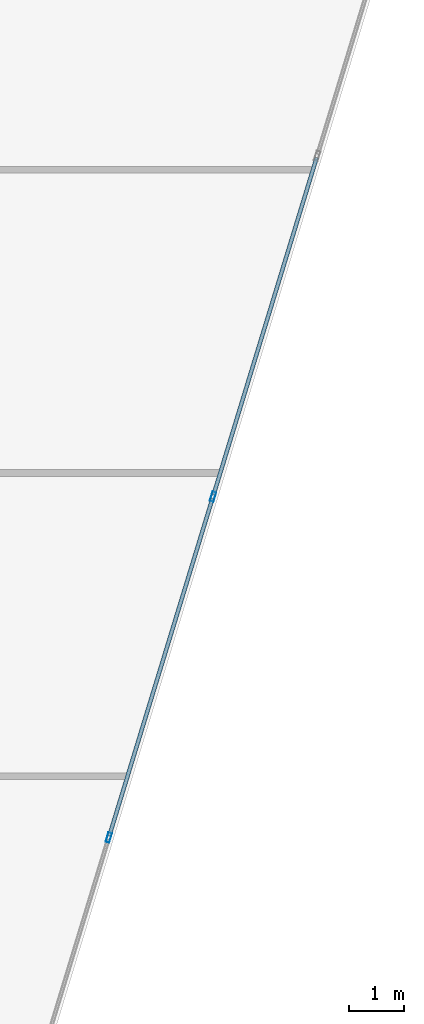
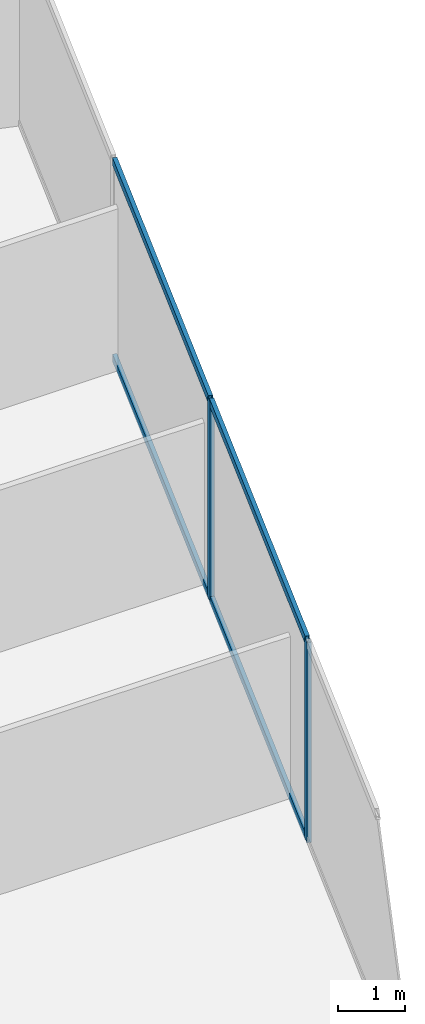
# One storey, part 12 of 26: 6 members, 1 element without a shape of its own.
"""IFC4 building model written with IfcOpenShell, lengths in metres."""

from ifc_helpers import new_model, si_unit, direction, frame, origin, origin_2d, place, context, subcontext, project, spatial, hollow_rectangle, extrude, source, transform, mapped, material, material_profile, profile_set, type_object, type_shapes, element, aggregate, save


model = new_model("IFC4")

# Units and contexts
model_context = context("Model", 3, precision=1e-05, world=origin(), true_north=direction((0.0, 1.0)))
body_context = subcontext(model_context, "Body", "Model", "MODEL_VIEW")
ifc_project = project(units=[si_unit("LENGTHUNIT", "METRE"), si_unit("AREAUNIT", "SQUARE_METRE"), si_unit("VOLUMEUNIT", "CUBIC_METRE"), si_unit("PLANEANGLEUNIT", "RADIAN"), si_unit("MASSUNIT", "GRAM", prefix="KILO")], contexts=[model_context])

# Site, building, storey
site_placement = place(None, origin())
site = spatial("IfcSite", under=ifc_project, at=site_placement, CompositionType="ELEMENT")
building_placement = place(site_placement, origin())
building = spatial("IfcBuilding", under=site, at=building_placement, Name="Krantzveldt Concourse Tower", CompositionType="ELEMENT")
storey_placement = place(building_placement, frame((0.0, 0.0, 113.75)))
storey = spatial("IfcBuildingStorey", under=building, at=storey_placement, Name="L27", CompositionType="ELEMENT", Elevation=113.75)

# Curtain wall, members
ifc_material = material(Name="Anodised aluminium 6063-T6", Category="aluminium")
curtain_wall_type = type_object("IfcCurtainWallType", Name="CW2", PredefinedType="USERDEFINED", material=ifc_material)
curtain_wall_placement = place(storey_placement, origin())
curtain_wall = element("IfcCurtainWall", 1, at=curtain_wall_placement, inside=storey, type_object=curtain_wall_type, Name="CW-L27-F07", ObjectType="UNITISED CURTAIN WALL", PredefinedType="USERDEFINED")
ifc_material_profile_1 = material_profile(ifc_material, hollow_rectangle(XDim=0.070068359375, YDim=0.179931640625, WallThickness=0.0048828125, at=origin_2d()), Name="Anodised aluminium 6063-T6", Category="aluminium")
ifc_profile_set_1 = profile_set([ifc_material_profile_1], Name="Anodised aluminium 6063-T6 - ALU-MULL 180x70x5")
member_type_1 = type_object("IfcMemberType", Name="CW-MUL-180", PredefinedType="MULLION", material=ifc_profile_set_1)
shared_shape_1 = source(origin(), body_context, "Body", "SweptSolid", [
    extrude(hollow_rectangle(XDim=0.070068359375, YDim=0.179931640625, WallThickness=0.0048828125, at=origin_2d()), origin(), (0.0, 0.0, 1.0), 3.669921875),
])
type_shapes(member_type_1, [shared_shape_1])
member_1_placement = place(storey_placement, frame((58.29150390625, 19.884765625, 0.0), z_axis=(0.0, 0.0, 1.0), x_axis=(-0.956304761423, 0.292371686864, 0.0)))
member_1 = element("IfcMember", 2, at=member_1_placement, type_object=member_type_1, Name="CW-Z12 mullion 4", PredefinedType="MULLION", context=body_context, shape_type="MappedRepresentation", body=[
    mapped(shared_shape_1, transform((0.0, 0.0, 0.0), x_axis=(1.0, 0.0, 0.0), y_axis=(0.0, 1.0, 0.0), z_axis=(0.0, 0.0, 1.0), scale=1.0)),
])
member_2_placement = place(storey_placement, frame((60.18212890625, 26.06884765625, 0.0), z_axis=(0.0, 0.0, 1.0), x_axis=(-0.956304761423, 0.292371686864, 0.0)))
member_2 = element("IfcMember", 3, at=member_2_placement, type_object=member_type_1, Name="CW-Z12 mullion 5", PredefinedType="MULLION", context=body_context, shape_type="MappedRepresentation", body=[
    mapped(shared_shape_1, transform((0.0, 0.0, 0.0), x_axis=(1.0, 0.0, 0.0), y_axis=(0.0, 1.0, 0.0), z_axis=(0.0, 0.0, 1.0), scale=1.0)),
])
ifc_material_profile_2 = material_profile(ifc_material, hollow_rectangle(XDim=0.070068359375, YDim=0.139892578125, WallThickness=0.0048828125, at=origin_2d()), Name="Anodised aluminium 6063-T6", Category="aluminium")
ifc_profile_set_2 = profile_set([ifc_material_profile_2], Name="Anodised aluminium 6063-T6 - ALU-TRAN 140x70x5")
member_type_2 = type_object("IfcMemberType", Name="CW-TRN-150", PredefinedType="USERDEFINED", material=ifc_profile_set_2)
shared_shape_2 = source(origin(), body_context, "Body", "SweptSolid", [
    extrude(hollow_rectangle(XDim=0.070068359375, YDim=0.139892578125, WallThickness=0.0048828125, at=origin_2d()), origin(), (0.0, 0.0, 1.0), 6.396728515625),
])
type_shapes(member_type_2, [shared_shape_2])
member_3_placement = place(storey_placement, frame((58.3017578125, 19.918212890625, 0.034912109375), z_axis=(0.292358163404, 0.956308895855, 0.0), x_axis=(-0.956308895855, 0.292358163404, 0.0)))
member_3 = element("IfcMember", 4, at=member_3_placement, type_object=member_type_2, Name="CW-Z12 transom 4.1", ObjectType="TRANSOM", PredefinedType="USERDEFINED", context=body_context, shape_type="MappedRepresentation", body=[
    mapped(shared_shape_2, transform((0.0, 0.0, 0.0), x_axis=(1.0, 0.0, 0.0), y_axis=(0.0, 1.0, 0.0), z_axis=(0.0, 0.0, 1.0), scale=1.0)),
])
member_4_placement = place(storey_placement, frame((58.3017578125, 19.918212890625, 3.635009765625), z_axis=(0.292358163404, 0.956308895855, 0.0), x_axis=(-0.956308895855, 0.292358163404, 0.0)))
member_4 = element("IfcMember", 5, at=member_4_placement, type_object=member_type_2, Name="CW-Z12 transom 4.2", ObjectType="TRANSOM", PredefinedType="USERDEFINED", context=body_context, shape_type="MappedRepresentation", body=[
    mapped(shared_shape_2, transform((0.0, 0.0, 0.0), x_axis=(1.0, 0.0, 0.0), y_axis=(0.0, 1.0, 0.0), z_axis=(0.0, 0.0, 1.0), scale=1.0)),
])
member_5_placement = place(storey_placement, frame((60.1923828125, 26.102294921875, 0.034912109375), z_axis=(0.292358163404, 0.956308895855, 0.0), x_axis=(-0.956308895855, 0.292358163404, 0.0)))
member_5 = element("IfcMember", 6, at=member_5_placement, type_object=member_type_2, Name="CW-Z12 transom 5.1", ObjectType="TRANSOM", PredefinedType="USERDEFINED", context=body_context, shape_type="MappedRepresentation", body=[
    mapped(shared_shape_2, transform((0.0, 0.0, 0.0), x_axis=(1.0, 0.0, 0.0), y_axis=(0.0, 1.0, 0.0), z_axis=(0.0, 0.0, 1.0), scale=1.0)),
])
member_6_placement = place(storey_placement, frame((60.1923828125, 26.102294921875, 3.635009765625), z_axis=(0.292358163404, 0.956308895855, 0.0), x_axis=(-0.956308895855, 0.292358163404, 0.0)))
member_6 = element("IfcMember", 7, at=member_6_placement, type_object=member_type_2, Name="CW-Z12 transom 5.2", ObjectType="TRANSOM", PredefinedType="USERDEFINED", context=body_context, shape_type="MappedRepresentation", body=[
    mapped(shared_shape_2, transform((0.0, 0.0, 0.0), x_axis=(1.0, 0.0, 0.0), y_axis=(0.0, 1.0, 0.0), z_axis=(0.0, 0.0, 1.0), scale=1.0)),
])
aggregate(curtain_wall, [member_1, member_2, member_3, member_4, member_5, member_6])

save(model, "model.ifc")
